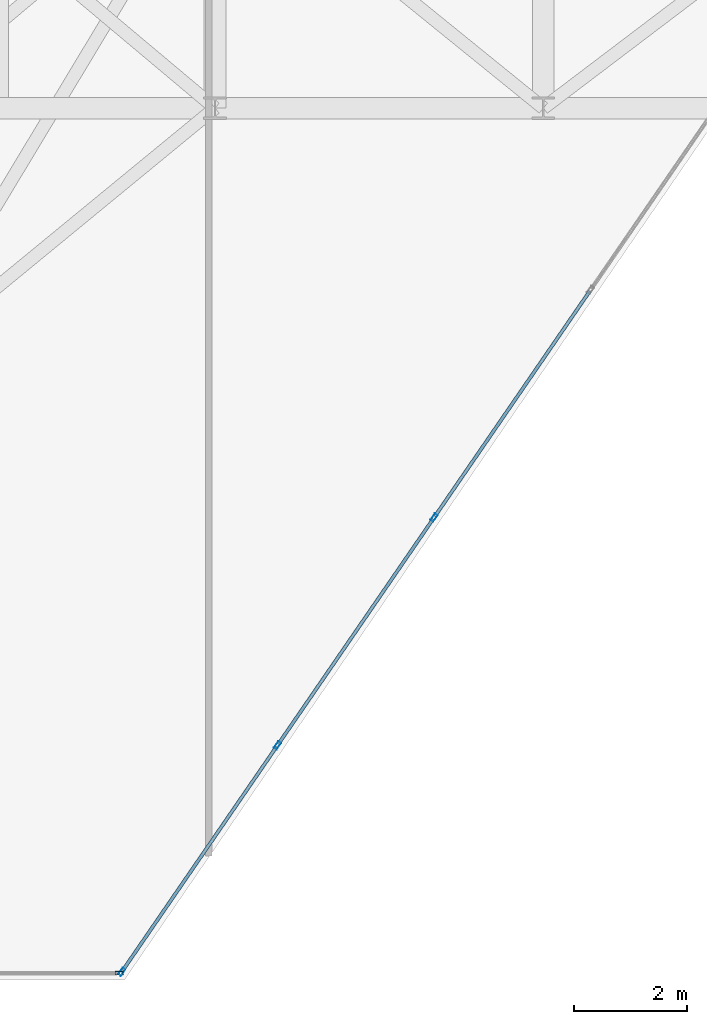
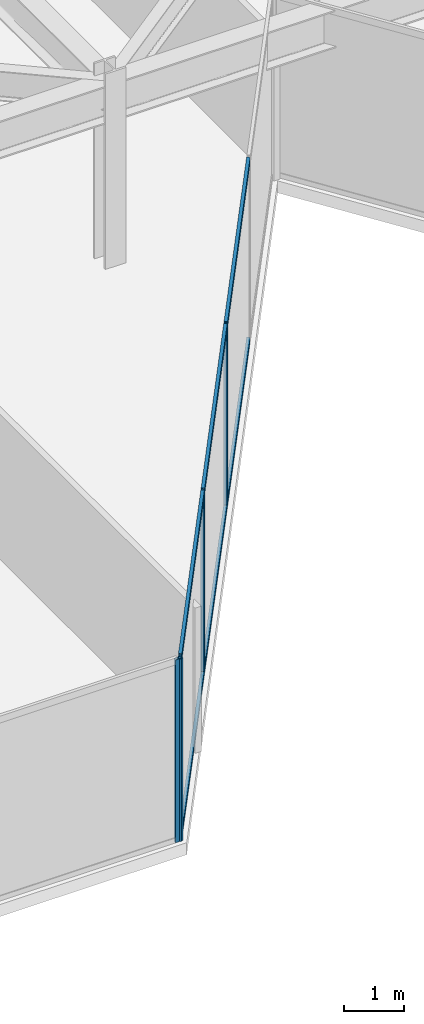
# One storey, part 4 of 21: 10 members, 2 elements without a shape of their own.
"""IFC4 building model written with IfcOpenShell, lengths in metres."""

from ifc_helpers import new_model, si_unit, direction, frame, origin, origin_2d, place, context, subcontext, project, spatial, hollow_rectangle, extrude, material, layer, layer_set, material_profile, profile_set, type_object, element, aggregate, save


model = new_model("IFC4")

# Units and contexts
model_context = context("Model", 3, precision=1e-05, world=origin(), true_north=direction((0.0, 1.0)))
body_context = subcontext(model_context, "Body", "Model", "MODEL_VIEW")
ifc_project = project(units=[si_unit("LENGTHUNIT", "METRE"), si_unit("AREAUNIT", "SQUARE_METRE"), si_unit("VOLUMEUNIT", "CUBIC_METRE"), si_unit("PLANEANGLEUNIT", "RADIAN"), si_unit("MASSUNIT", "GRAM", prefix="KILO")], contexts=[model_context])

# Site, building, storey
site_placement = place(None, origin())
site = spatial("IfcSite", under=ifc_project, at=site_placement, CompositionType="ELEMENT")
building_placement = place(site_placement, origin())
building = spatial("IfcBuilding", under=site, at=building_placement, Name="Kravanh Interchange Tower", CompositionType="ELEMENT")
storey_placement = place(building_placement, frame((0.0, 0.0, 216.5)))
storey = spatial("IfcBuildingStorey", under=building, at=storey_placement, Name="L52", CompositionType="ELEMENT", Elevation=216.5)

# Curtain wall, members
ifc_material_1 = material(Name="Anodised Bronze Aluminium", Category="aluminium")
ifc_layer = layer(ifc_material_1, 0.179931640625)
ifc_layer_set = layer_set([ifc_layer], Name="Unitised Curtain Wall System CW-Z3 Upper Office")
curtain_wall_type = type_object("IfcCurtainWallType", Name="Unitised Curtain Wall System CW-Z3 Upper Office", PredefinedType="NOTDEFINED", material=ifc_layer_set)
curtain_wall_1_placement = place(storey_placement, origin())
curtain_wall_1 = element("IfcCurtainWall", 1, at=curtain_wall_1_placement, inside=storey, type_object=curtain_wall_type, Name="L52 Unitised Curtain Wall CW-L52-04", PredefinedType="NOTDEFINED")
ifc_material_2 = material(Name="Anodised Bronze Aluminium", Category="aluminium")
ifc_material_profile_1 = material_profile(ifc_material_2, hollow_rectangle(XDim=0.06005859375, YDim=0.139892578125, WallThickness=0.00390625, at=origin_2d()), Name="ALU60X140X4")
ifc_profile_set_1 = profile_set([ifc_material_profile_1], Name="Anodised Bronze Aluminium")
member_type_1 = type_object("IfcMemberType", Name="Curtain Wall Mullion ALU60X140X4 Bronze", PredefinedType="MULLION", material=ifc_profile_set_1)
member_1_placement = place(storey_placement, frame((36.66845703125, 19.56591796875, 0.0), z_axis=(0.0, 0.0, 1.0), x_axis=(0.824042223035, -0.566528388217, 0.0)))
member_1 = element("IfcMember", 2, at=member_1_placement, type_object=member_type_1, Name="CW-Z3 mullion 3", PredefinedType="MULLION", context=body_context, shape_type="SweptSolid", body=[
    extrude(hollow_rectangle(XDim=0.06005859375, YDim=0.139892578125, WallThickness=0.00390625, at=origin_2d()), origin(), (0.0, 0.0, 1.0), 3.7451171875),
])
member_2_placement = place(storey_placement, frame((33.902587890625, 15.54296875, 0.0), z_axis=(0.0, 0.0, 1.0), x_axis=(0.824042223035, -0.566528388217, 0.0)))
member_2 = element("IfcMember", 3, at=member_2_placement, type_object=member_type_1, Name="CW-Z3 mullion 4", PredefinedType="MULLION", context=body_context, shape_type="SweptSolid", body=[
    extrude(hollow_rectangle(XDim=0.06005859375, YDim=0.139892578125, WallThickness=0.00390625, at=origin_2d()), origin(), (0.0, 0.0, 1.0), 3.7451171875),
])
member_3_placement = place(storey_placement, frame((31.15380859375, 11.544677734375, 0.0), z_axis=(0.0, 0.0, 1.0), x_axis=(0.824042223035, -0.566528388217, 0.0)))
member_3 = element("IfcMember", 4, at=member_3_placement, type_object=member_type_1, Name="CW-Z3 mullion 5", PredefinedType="MULLION", context=body_context, shape_type="SweptSolid", body=[
    extrude(hollow_rectangle(XDim=0.06005859375, YDim=0.139892578125, WallThickness=0.00390625, at=origin_2d()), origin(), (0.0, 0.0, 1.0), 3.7451171875),
])

# Curtain wall, member
curtain_wall_2_placement = place(storey_placement, origin())
curtain_wall_2 = element("IfcCurtainWall", 5, at=curtain_wall_2_placement, inside=storey, type_object=curtain_wall_type, Name="L52 Unitised Curtain Wall CW-L52-05", PredefinedType="NOTDEFINED")
member_4_placement = place(storey_placement, frame((31.10693359375, 11.52001953125, 0.0), z_axis=(0.0, 0.0, 1.0), x_axis=(0.0, -1.0, 0.0)))
member_4 = element("IfcMember", 6, at=member_4_placement, type_object=member_type_1, Name="CW-Z3 mullion 1", PredefinedType="MULLION", context=body_context, shape_type="SweptSolid", body=[
    extrude(hollow_rectangle(XDim=0.06005859375, YDim=0.139892578125, WallThickness=0.00390625, at=origin_2d()), origin(), (0.0, 0.0, 1.0), 3.7451171875),
])
aggregate(curtain_wall_2, [member_4])

# Member
ifc_material_3 = material(Name="Anodised Bronze Aluminium", Category="aluminium")
ifc_material_profile_2 = material_profile(ifc_material_3, hollow_rectangle(XDim=0.06005859375, YDim=0.139892578125, WallThickness=0.00390625, at=origin_2d()), Name="ALU60X140X4")
ifc_profile_set_2 = profile_set([ifc_material_profile_2], Name="Anodised Bronze Aluminium")
member_type_2 = type_object("IfcMemberType", Name="Curtain Wall Transom ALU60X140X4 Bronze", PredefinedType="USERDEFINED", material=ifc_profile_set_2)
member_5_placement = place(storey_placement, frame((39.417236328125, 23.564208984375, 0.030029296875), z_axis=(-0.566503037389, -0.824059651135, 0.0), x_axis=(0.824059651135, -0.566503037389, 0.0)))
member_5 = element("IfcMember", 7, at=member_5_placement, type_object=member_type_2, Name="CW-Z3 transom 2.1", ObjectType="TRANSOM", PredefinedType="USERDEFINED", context=body_context, shape_type="SweptSolid", body=[
    extrude(hollow_rectangle(XDim=0.06005859375, YDim=0.139892578125, WallThickness=0.00390625, at=origin_2d()), origin(), (0.0, 0.0, 1.0), 4.822021484375),
])

member_6_placement = place(storey_placement, frame((39.417236328125, 23.564208984375, 3.715087890625), z_axis=(-0.566503037389, -0.824059651135, 0.0), x_axis=(0.824059651135, -0.566503037389, 0.0)))
member_6 = element("IfcMember", 8, at=member_6_placement, type_object=member_type_2, Name="CW-Z3 transom 2.2", ObjectType="TRANSOM", PredefinedType="USERDEFINED", context=body_context, shape_type="SweptSolid", body=[
    extrude(hollow_rectangle(XDim=0.06005859375, YDim=0.139892578125, WallThickness=0.00390625, at=origin_2d()), origin(), (0.0, 0.0, 1.0), 4.822021484375),
])

member_7_placement = place(storey_placement, frame((36.6513671875, 19.541259765625, 0.030029296875), z_axis=(-0.566503037389, -0.824059651135, 0.0), x_axis=(0.824059651135, -0.566503037389, 0.0)))
member_7 = element("IfcMember", 9, at=member_7_placement, type_object=member_type_2, Name="CW-Z3 transom 3.1", ObjectType="TRANSOM", PredefinedType="USERDEFINED", context=body_context, shape_type="SweptSolid", body=[
    extrude(hollow_rectangle(XDim=0.06005859375, YDim=0.139892578125, WallThickness=0.00390625, at=origin_2d()), origin(), (0.0, 0.0, 1.0), 4.822021484375),
])

member_8_placement = place(storey_placement, frame((36.6513671875, 19.541259765625, 3.715087890625), z_axis=(-0.566503037389, -0.824059651135, 0.0), x_axis=(0.824059651135, -0.566503037389, 0.0)))
member_8 = element("IfcMember", 10, at=member_8_placement, type_object=member_type_2, Name="CW-Z3 transom 3.2", ObjectType="TRANSOM", PredefinedType="USERDEFINED", context=body_context, shape_type="SweptSolid", body=[
    extrude(hollow_rectangle(XDim=0.06005859375, YDim=0.139892578125, WallThickness=0.00390625, at=origin_2d()), origin(), (0.0, 0.0, 1.0), 4.822021484375),
])

member_9_placement = place(storey_placement, frame((33.8857421875, 15.518310546875, 0.030029296875), z_axis=(-0.566518012045, -0.824049356549, 0.0), x_axis=(0.824049356549, -0.566518012045, 0.0)))
member_9 = element("IfcMember", 11, at=member_9_placement, type_object=member_type_2, Name="CW-Z3 transom 4.1", ObjectType="TRANSOM", PredefinedType="USERDEFINED", context=body_context, shape_type="SweptSolid", body=[
    extrude(hollow_rectangle(XDim=0.06005859375, YDim=0.139892578125, WallThickness=0.00390625, at=origin_2d()), origin(), (0.0, 0.0, 1.0), 4.792236328125),
])

member_10_placement = place(storey_placement, frame((33.8857421875, 15.518310546875, 3.715087890625), z_axis=(-0.566518012045, -0.824049356549, 0.0), x_axis=(0.824049356549, -0.566518012045, 0.0)))
member_10 = element("IfcMember", 12, at=member_10_placement, type_object=member_type_2, Name="CW-Z3 transom 4.2", ObjectType="TRANSOM", PredefinedType="USERDEFINED", context=body_context, shape_type="SweptSolid", body=[
    extrude(hollow_rectangle(XDim=0.06005859375, YDim=0.139892578125, WallThickness=0.00390625, at=origin_2d()), origin(), (0.0, 0.0, 1.0), 4.792236328125),
])

aggregate(curtain_wall_1, [member_1, member_2, member_3, member_5, member_6, member_7, member_8, member_9, member_10])

save(model, "model.ifc")
